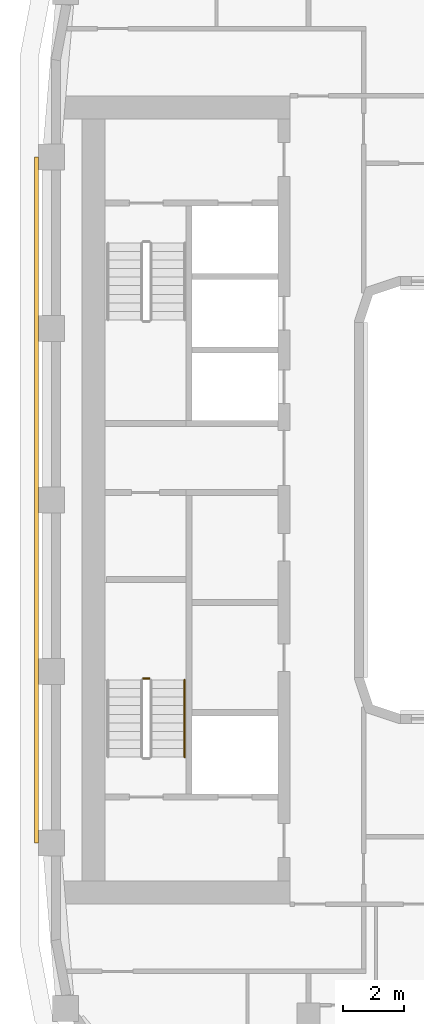
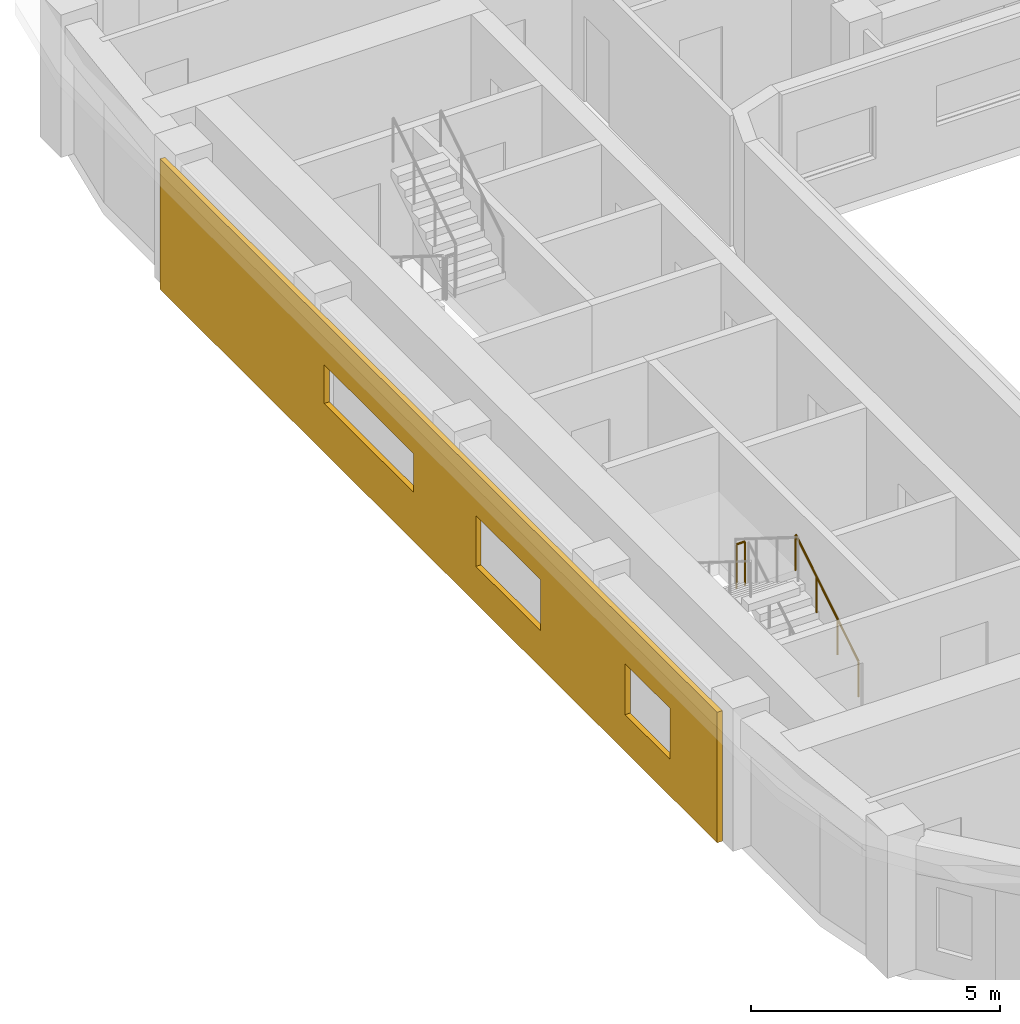
# One storey, part 12 of 21: 2 railings, 1 covering.
"""IFC4 building model written with IfcOpenShell, lengths in metres."""

from ifc_helpers import new_model, si_unit, direction, frame, origin, origin_2d, place, context, subcontext, project, spatial, polyline, circle, outline, extrude, material, layer, layer_set, type_object, element, save


model = new_model("IFC4")

# Units and contexts
model_context = context("Model", 3, precision=1e-05, world=origin(), true_north=direction((0.0, 1.0)))
body_context = subcontext(model_context, "Body", "Model", "MODEL_VIEW")
ifc_project = project(units=[si_unit("LENGTHUNIT", "METRE"), si_unit("AREAUNIT", "SQUARE_METRE"), si_unit("VOLUMEUNIT", "CUBIC_METRE"), si_unit("PLANEANGLEUNIT", "RADIAN"), si_unit("MASSUNIT", "GRAM", prefix="KILO")], contexts=[model_context])

# Site, building, storey
site_placement = place(None, origin())
site = spatial("IfcSite", under=ifc_project, at=site_placement, CompositionType="ELEMENT")
building_placement = place(site_placement, origin())
building = spatial("IfcBuilding", under=site, at=building_placement, Name="Kiln Ring Residences", CompositionType="ELEMENT")
storey_placement = place(building_placement, frame((0.0, 0.0, 220.39990234375)))
storey = spatial("IfcBuildingStorey", under=building, at=storey_placement, Name="L57", CompositionType="ELEMENT", Elevation=220.39990234375)

# Railings
ifc_material_1 = material(Name="Stainless steel", Category="steel")
railing_type_1 = type_object("IfcRailingType", Name="CORE-STAIR-GUARD", PredefinedType="GUARDRAIL", material=ifc_material_1)
railing_1_placement = place(storey_placement, frame((-22.0, -5.830078125, 1.75)))
element("IfcRailing", 1, at=railing_1_placement, inside=storey, type_object=railing_type_1, Name="L57 W-STS stair guard 2", PredefinedType="GUARDRAIL", context=body_context, shape_type="SweptSolid", body=[
    extrude(circle(Radius=0.02392578125, at=origin_2d()), frame((0.0, 0.0, 1.076171875), z_axis=(-1.0, 0.0, 0.0), x_axis=(0.0, -1.0, 0.0)), (0.0, 0.0, 1.0), 0.199951171875),
    extrude(circle(Radius=0.02099609375, at=origin_2d()), origin(), (0.0, 0.0, 1.0), 1.052001953125),
    extrude(circle(Radius=0.02099609375, at=origin_2d()), frame((-0.199951171875, 0.0, 0.0)), (0.0, 0.0, 1.0), 1.052001953125),
])
ifc_material_2 = material(Name="Stainless steel", Category="steel")
railing_type_2 = type_object("IfcRailingType", Name="CORE-STAIR-HANDRAIL", PredefinedType="HANDRAIL", material=ifc_material_2)
railing_2_placement = place(storey_placement, frame((-20.85009765625, -8.39990234375, 0.175048828125)))
element("IfcRailing", 2, at=railing_2_placement, inside=storey, type_object=railing_type_2, Name="L57 W-STS stair handrail 1", PredefinedType="HANDRAIL", context=body_context, shape_type="SweptSolid", body=[
    extrude(circle(Radius=0.02392578125, at=origin_2d()), frame((0.0, 0.0, 0.8759765625), z_axis=(0.0, 0.848007534815, 0.529984170421), x_axis=(-1.0, 0.0, 0.0)), (0.0, 0.0, 1.0), 2.9716796875),
    extrude(circle(Radius=0.02099609375, at=origin_2d()), origin(), (0.0, 0.0, 1.0), 0.851806640625),
    extrude(circle(Radius=0.02099609375, at=origin_2d()), frame((0.0, 0.840087890625, 0.52490234375)), (0.0, 0.0, 1.0), 0.851806640625),
    extrude(circle(Radius=0.02099609375, at=origin_2d()), frame((0.0, 1.679931640625, 1.050048828125)), (0.0, 0.0, 1.0), 0.851806640625),
    extrude(circle(Radius=0.02099609375, at=origin_2d()), frame((0.0, 2.52001953125, 1.574951171875)), (0.0, 0.0, 1.0), 0.851806640625),
])

# Covering
ifc_material_3 = material(Name="Brick masonry, dark clay brick", Category="masonry")
ifc_layer = layer(ifc_material_3, 0.1201171875)
ifc_layer_set = layer_set([ifc_layer], Name="RAINSCREEN PANEL 120")
covering_type = type_object("IfcCoveringType", Name="RAINSCREEN PANEL 120", PredefinedType="CLADDING", material=ifc_layer_set)
covering_placement = place(storey_placement, frame((-25.68505859375, 11.199951171875, 0.0), z_axis=(0.0, 0.0, 1.0), x_axis=(0.0, -1.0, 0.0)))
element("IfcCovering", 3, at=covering_placement, inside=storey, type_object=covering_type, Name="RAINSCREEN L57", PredefinedType="CLADDING", context=body_context, shape_type="SweptSolid", body=[
    extrude(outline(polyline([(0.0, 0.0), (22.39990234375, 0.0), (22.39990234375, 3.2001953125), (0.0, 3.2001953125), (0.0, 0.0)]), holes=[polyline([(15.300048828125, 2.150146484375), (12.699951171875, 2.150146484375), (12.699951171875, 0.900146484375), (15.300048828125, 0.900146484375), (15.300048828125, 2.150146484375)]), polyline([(20.5, 0.900146484375), (20.5, 2.150146484375), (18.699951171875, 2.150146484375), (18.699951171875, 0.900146484375), (20.5, 0.900146484375)]), polyline([(10.199951171875, 1.2001953125), (10.199951171875, 2.150146484375), (6.60009765625, 2.150146484375), (6.60009765625, 1.2001953125), (10.199951171875, 1.2001953125)])]), frame((0.0, 0.06005859375, 0.0), z_axis=(0.0, -1.0, 0.0), x_axis=(1.0, 0.0, 0.0)), (0.0, 0.0, 1.0), 0.1201171875),
])

save(model, "model.ifc")
